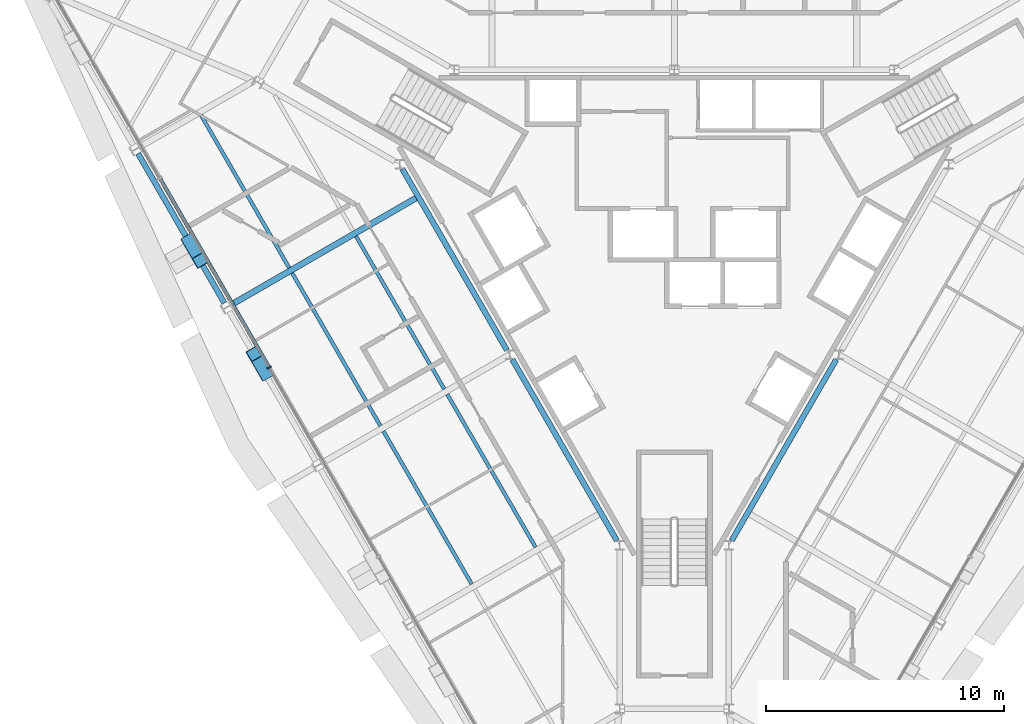
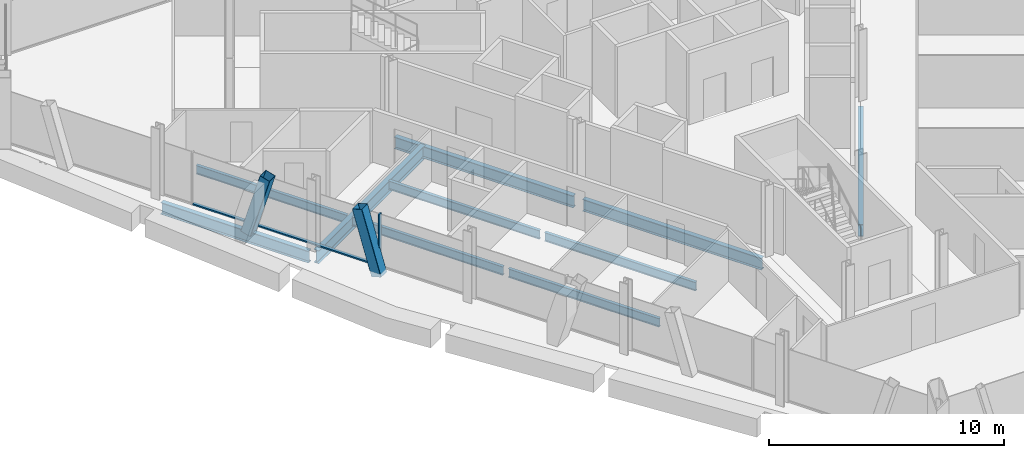
# One storey, part 3 of 13: 10 beams, 4 members, 1 element without a shape of its own.
"""IFC4 building model written with IfcOpenShell, lengths in metres."""

from ifc_helpers import new_model, si_unit, direction, frame, origin, origin_2d, place, context, subcontext, project, spatial, rectangle, hollow_rectangle, i_section, extrude, material, material_profile, profile_set, type_object, element, aggregate, save


model = new_model("IFC4")

# Units and contexts
model_context = context("Model", 3, precision=1e-05, world=origin(), true_north=direction((0.0, 1.0)))
body_context = subcontext(model_context, "Body", "Model", "MODEL_VIEW")
ifc_project = project(units=[si_unit("LENGTHUNIT", "METRE"), si_unit("AREAUNIT", "SQUARE_METRE"), si_unit("VOLUMEUNIT", "CUBIC_METRE"), si_unit("PLANEANGLEUNIT", "RADIAN"), si_unit("MASSUNIT", "GRAM", prefix="KILO")], contexts=[model_context])

# Site, building, storey
site_placement = place(None, origin())
site = spatial("IfcSite", under=ifc_project, at=site_placement, CompositionType="ELEMENT")
building_placement = place(site_placement, origin())
building = spatial("IfcBuilding", under=site, at=building_placement, Name="Verrane Prism Tower", CompositionType="ELEMENT")
storey_placement = place(building_placement, frame((0.0, 0.0, 163.60009765625)))
storey = spatial("IfcBuildingStorey", under=building, at=storey_placement, Name="L40", CompositionType="ELEMENT", Elevation=163.60009765625)

# Beams
ifc_material_1 = material(Name="Steel A992", Category="steel")
ifc_material_profile_1 = material_profile(ifc_material_1, i_section(OverallWidth=0.23046875, OverallDepth=0.6171875, WebThickness=0.01318359375, FlangeThickness=0.022216796875, FilletRadius=0.012939453125, at=origin_2d()), Name="W24x94")
ifc_profile_set_1 = profile_set([ifc_material_profile_1], Name="Steel A992")
beam_type_1 = type_object("IfcBeamType", Name="Core ring girder W24x94", PredefinedType="BEAM", material=ifc_profile_set_1)
beam_1_placement = place(storey_placement, frame((-11.44482421875, 3.820556640625, -0.55859375), z_axis=(0.499967414725, -0.866044216084, 0.0), x_axis=(0.866044216084, 0.499967414725, 0.0)))
element("IfcBeam", 1, at=beam_1_placement, inside=storey, type_object=beam_type_1, Name="Core ring girder L40", PredefinedType="BEAM", context=body_context, shape_type="SweptSolid", body=[
    extrude(i_section(OverallWidth=0.23046875, OverallDepth=0.6171875, WebThickness=0.01318359375, FlangeThickness=0.022216796875, FilletRadius=0.012939453125, at=origin_2d()), origin(), (0.0, 0.0, 1.0), 8.7998046875),
])
for number, where, z_axis, x_axis, name in (
    (2, (-6.81494140625, -4.199462890625, -0.55859375), (0.499988222896, -0.866032203192, 0.0), (0.866032203192, 0.499988222896, 0.0), "Core ring girder L40"),
    (3, (2.4150390625, -11.820556640625, -0.55859375), (0.499988222896, 0.866032203192, 0.0), (-0.866032203192, 0.499988222896, 0.0), "Core ring girder L40"),
):
    element("IfcBeam", number, at=place(storey_placement, frame(where, z_axis=z_axis, x_axis=x_axis)), inside=storey, type_object=beam_type_1, Name=name, PredefinedType="BEAM", context=body_context, shape_type="SweptSolid", body=[
        extrude(i_section(OverallWidth=0.23046875, OverallDepth=0.6171875, WebThickness=0.01318359375, FlangeThickness=0.022216796875, FilletRadius=0.012939453125, at=origin_2d()), origin(), (0.0, 0.0, 1.0), 8.800048828125),
    ])

# Members
ifc_material_2 = material(Name="Steel A500 Grade C", Category="steel")
ifc_material_profile_2 = material_profile(ifc_material_2, hollow_rectangle(XDim=0.508056640625, YDim=0.508056640625, WallThickness=0.01904296875, InnerFilletRadius=0.009521484375, OuterFilletRadius=0.028564453125, at=origin_2d()), Name="HSS20x20x3/4")
ifc_profile_set_2 = profile_set([ifc_material_profile_2], Name="Steel A500 Grade C")
member_type_1 = type_object("IfcMemberType", Name="Facade brace HSS20x20x3/4", PredefinedType="BRACE", material=ifc_profile_set_2)
for number, where, z_axis, x_axis, name in (
    (4, (-20.4384765625, 0.785400390625, -0.216796875), (0.142141174047, -0.246202280858, 0.958738923556), (0.866031159827, 0.499990030109, 0.0), "Facade brace SW1 L40"),
    (5, (-17.2216796875, -4.785400390625, -0.216796875), (-0.142141174047, 0.246202280858, 0.958738923556), (-0.866031159827, -0.499990030109, 0.0), "Facade brace SW2 L40"),
):
    element("IfcMember", number, at=place(storey_placement, frame(where, z_axis=z_axis, x_axis=x_axis)), inside=storey, type_object=member_type_1, Name=name, PredefinedType="BRACE", context=body_context, shape_type="SweptSolid", body=[
        extrude(hollow_rectangle(XDim=0.508056640625, YDim=0.508056640625, WallThickness=0.01904296875, InnerFilletRadius=0.009521484375, OuterFilletRadius=0.028564453125, at=origin_2d()), origin(), (0.0, 0.0, 1.0), 3.333740234375),
    ])

# Beams
ifc_material_3 = material(Name="Steel A992", Category="steel")
ifc_material_profile_3 = material_profile(ifc_material_3, i_section(OverallWidth=0.15234375, OverallDepth=0.449462890625, WebThickness=0.007568359375, FlangeThickness=0.0107421875, FilletRadius=0.01025390625, at=origin_2d()), Name="W18x35")
ifc_profile_set_3 = profile_set([ifc_material_profile_3], Name="Steel A992")
beam_type_2 = type_object("IfcBeamType", Name="Floor beam W18x35", PredefinedType="BEAM", material=ifc_profile_set_3)
beam_2_placement = place(storey_placement, frame((-16.206787109375, -0.340087890625, -0.385009765625), z_axis=(-0.50000040832, 0.866025168041, 0.0), x_axis=(-0.866025168041, -0.50000040832, 0.0)))
element("IfcBeam", 6, at=beam_2_placement, inside=storey, type_object=beam_type_2, Name="Floor beam L40", PredefinedType="BEAM", context=body_context, shape_type="SweptSolid", body=[
    extrude(i_section(OverallWidth=0.15234375, OverallDepth=0.449462890625, WebThickness=0.007568359375, FlangeThickness=0.0107421875, FilletRadius=0.01025390625, at=origin_2d()), origin(), (0.0, 0.0, 1.0), 7.42578125),
])
for number, where, z_axis, x_axis, name in (
    (7, (-9.680419921875, -5.440185546875, -0.385009765625), (-0.499979562871, 0.866037202845, 0.0), (-0.866037202845, -0.499979562871, 0.0), "Floor beam L40"),
    (8, (-12.3671875, -6.990234375, -0.385009765625), (-0.499979562871, 0.866037202845, 0.0), (-0.866037202845, -0.499979562871, 0.0), "Floor beam L40"),
):
    element("IfcBeam", number, at=place(storey_placement, frame(where, z_axis=z_axis, x_axis=x_axis)), inside=storey, type_object=beam_type_2, Name=name, PredefinedType="BEAM", context=body_context, shape_type="SweptSolid", body=[
        extrude(i_section(OverallWidth=0.15234375, OverallDepth=0.449462890625, WebThickness=0.007568359375, FlangeThickness=0.0107421875, FilletRadius=0.01025390625, at=origin_2d()), origin(), (0.0, 0.0, 1.0), 7.425048828125),
    ])
beam_3_placement = place(storey_placement, frame((-5.837646484375, -12.098388671875, -0.385009765625), z_axis=(-0.499996323716, 0.866027526278, 0.0), x_axis=(-0.866027526278, -0.499996323716, 0.0)))
element("IfcBeam", 9, at=beam_3_placement, inside=storey, type_object=beam_type_2, Name="Floor beam L40", PredefinedType="BEAM", context=body_context, shape_type="SweptSolid", body=[
    extrude(i_section(OverallWidth=0.15234375, OverallDepth=0.449462890625, WebThickness=0.007568359375, FlangeThickness=0.0107421875, FilletRadius=0.01025390625, at=origin_2d()), origin(), (0.0, 0.0, 1.0), 7.43359375),
])
beam_4_placement = place(storey_placement, frame((-8.525390625, -13.6494140625, -0.385009765625), z_axis=(-0.500006734102, 0.866021515814, 0.0), x_axis=(-0.866021515814, -0.500006734102, 0.0)))
element("IfcBeam", 10, at=beam_4_placement, inside=storey, type_object=beam_type_2, Name="Floor beam L40", PredefinedType="BEAM", context=body_context, shape_type="SweptSolid", body=[
    extrude(i_section(OverallWidth=0.15234375, OverallDepth=0.449462890625, WebThickness=0.007568359375, FlangeThickness=0.0107421875, FilletRadius=0.01025390625, at=origin_2d()), origin(), (0.0, 0.0, 1.0), 7.43408203125),
])

# Curtain wall, member
ifc_material_4 = material(Name="Aluminium framed insulated glazing", Category="aluminium")
curtain_wall_type = type_object("IfcCurtainWallType", Name="Curtain wall CW-A 8400 module", PredefinedType="NOTDEFINED", material=ifc_material_4)
curtain_wall_placement = place(storey_placement, origin())
curtain_wall = element("IfcCurtainWall", 11, at=curtain_wall_placement, inside=storey, type_object=curtain_wall_type, Name="Glazed curtain wall south-west face L40", PredefinedType="NOTDEFINED")
ifc_material_5 = material(Name="Aluminium alloy 6063-T6", Category="aluminium")
ifc_material_profile_4 = material_profile(ifc_material_5, rectangle(XDim=0.199951171875, YDim=0.070068359375, at=origin_2d()), Name="Mullion 70x200 aluminium")
ifc_profile_set_4 = profile_set([ifc_material_profile_4], Name="Aluminium alloy 6063-T6")
member_type_2 = type_object("IfcMemberType", Name="Mullion 70x200 aluminium", PredefinedType="MULLION", material=ifc_profile_set_4)
member_1_placement = place(storey_placement, frame((-17.0498046875, -4.531005859375, 0.0), z_axis=(0.0, 0.0, 1.0), x_axis=(0.86602596468, 0.499999028499, 0.0)))
member_1 = element("IfcMember", 12, at=member_1_placement, type_object=member_type_2, Name="CW39.4 mullion 3", PredefinedType="MULLION", context=body_context, shape_type="SweptSolid", body=[
    extrude(rectangle(XDim=0.199951171875, YDim=0.070068359375, at=origin_2d()), origin(), (0.0, 0.0, 1.0), 2.712890625),
])

# Beams
ifc_material_6 = material(Name="Steel A992", Category="steel")
ifc_material_profile_5 = material_profile(ifc_material_6, i_section(OverallWidth=0.25390625, OverallDepth=0.683349609375, WebThickness=0.012451171875, FlangeThickness=0.01904296875, FilletRadius=0.01513671875, at=origin_2d()), Name="W27x94")
ifc_profile_set_5 = profile_set([ifc_material_profile_5], Name="Steel A992")
beam_type_3 = type_object("IfcBeamType", Name="Radial girder W27x94", PredefinedType="BEAM", material=ifc_profile_set_5)
beam_5_placement = place(storey_placement, frame((-18.641845703125, -1.891357421875, -0.561767578125), z_axis=(0.866022759689, 0.500004579679, 0.0), x_axis=(-0.500004579679, 0.866022759689, 0.0)))
element("IfcBeam", 13, at=beam_5_placement, inside=storey, type_object=beam_type_3, Name="Radial girder L40", PredefinedType="BEAM", context=body_context, shape_type="SweptSolid", body=[
    extrude(i_section(OverallWidth=0.25390625, OverallDepth=0.683349609375, WebThickness=0.012451171875, FlangeThickness=0.01904296875, FilletRadius=0.01513671875, at=origin_2d()), origin(), (0.0, 0.0, 1.0), 9.0888671875),
])
ifc_material_7 = material(Name="Steel A992", Category="steel")
ifc_material_profile_6 = material_profile(ifc_material_7, i_section(OverallWidth=0.23046875, OverallDepth=0.6171875, WebThickness=0.01318359375, FlangeThickness=0.022216796875, FilletRadius=0.012939453125, at=origin_2d()), Name="W24x94")
ifc_profile_set_6 = profile_set([ifc_material_profile_6], Name="Steel A992")
beam_type_4 = type_object("IfcBeamType", Name="Spandrel beam W24x94", PredefinedType="SPANDREL", material=ifc_profile_set_6)
beam_6_placement = place(storey_placement, frame((-22.567138671875, 4.4716796875, -0.46875), z_axis=(0.50007721572, -0.865980818678, 0.0), x_axis=(0.865980818678, 0.50007721572, 0.0)))
element("IfcBeam", 14, at=beam_6_placement, inside=storey, type_object=beam_type_4, Name="Spandrel beam L40", PredefinedType="SPANDREL", context=body_context, shape_type="SweptSolid", body=[
    extrude(i_section(OverallWidth=0.23046875, OverallDepth=0.6171875, WebThickness=0.01318359375, FlangeThickness=0.022216796875, FilletRadius=0.012939453125, at=origin_2d()), origin(), (0.0, 0.0, 1.0), 7.267333984375),
])

# Member
ifc_material_8 = material(Name="Aluminium alloy 6063-T6", Category="aluminium")
ifc_material_profile_7 = material_profile(ifc_material_8, rectangle(XDim=0.14990234375, YDim=0.070068359375, at=origin_2d()), Name="Transom 70x150 aluminium")
ifc_profile_set_7 = profile_set([ifc_material_profile_7], Name="Aluminium alloy 6063-T6")
member_type_3 = type_object("IfcMemberType", Name="Transom 70x150 aluminium", PredefinedType="USERDEFINED", material=ifc_profile_set_7)
member_2_placement = place(storey_placement, frame((-21.633056640625, 3.407470703125, 0.034912109375), z_axis=(0.500009425886, -0.866019961678, 0.0), x_axis=(0.866019961678, 0.500009425886, 0.0)))
member_2 = element("IfcMember", 15, at=member_2_placement, type_object=member_type_3, Name="CW39.4 transom 2", ObjectType="TRANSOM", PredefinedType="USERDEFINED", context=body_context, shape_type="SweptSolid", body=[
    extrude(rectangle(XDim=0.14990234375, YDim=0.070068359375, at=origin_2d()), origin(), (0.0, 0.0, 1.0), 9.131591796875),
])

aggregate(curtain_wall, [member_1, member_2])

save(model, "model.ifc")
